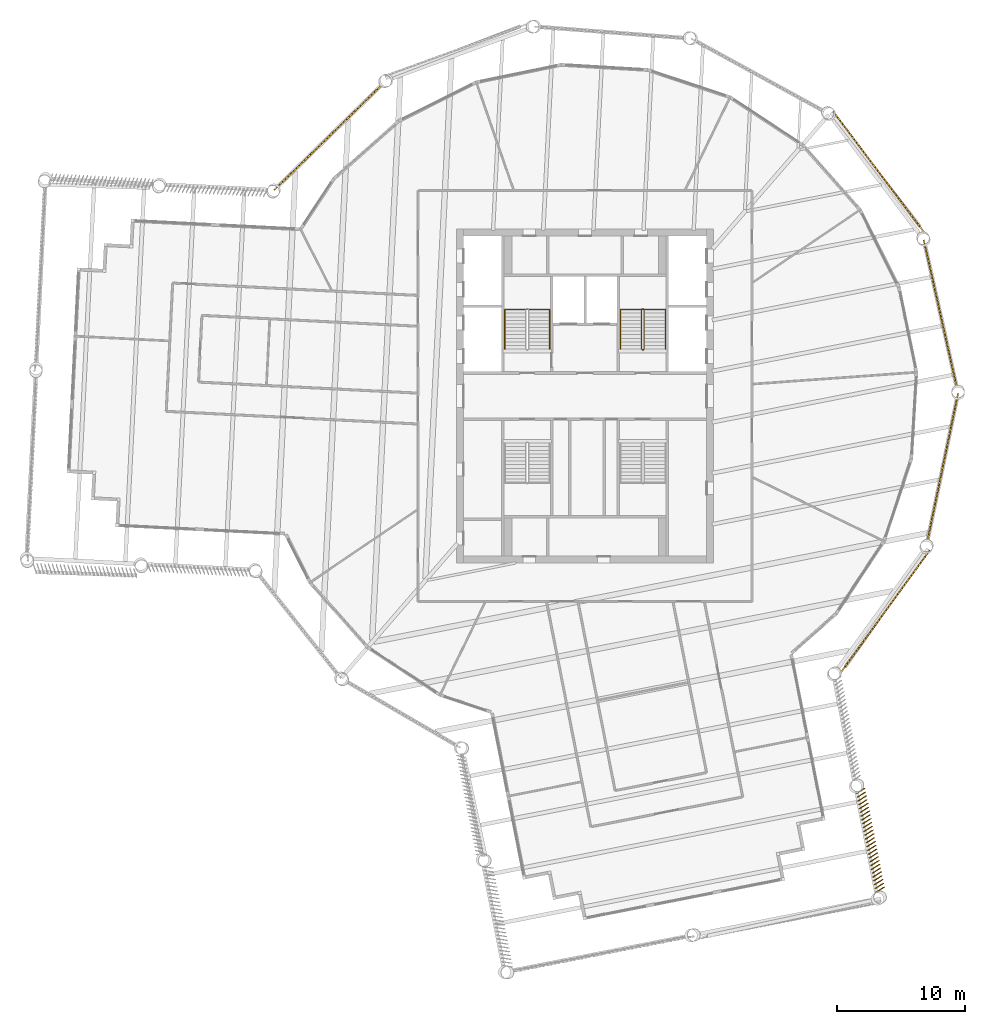
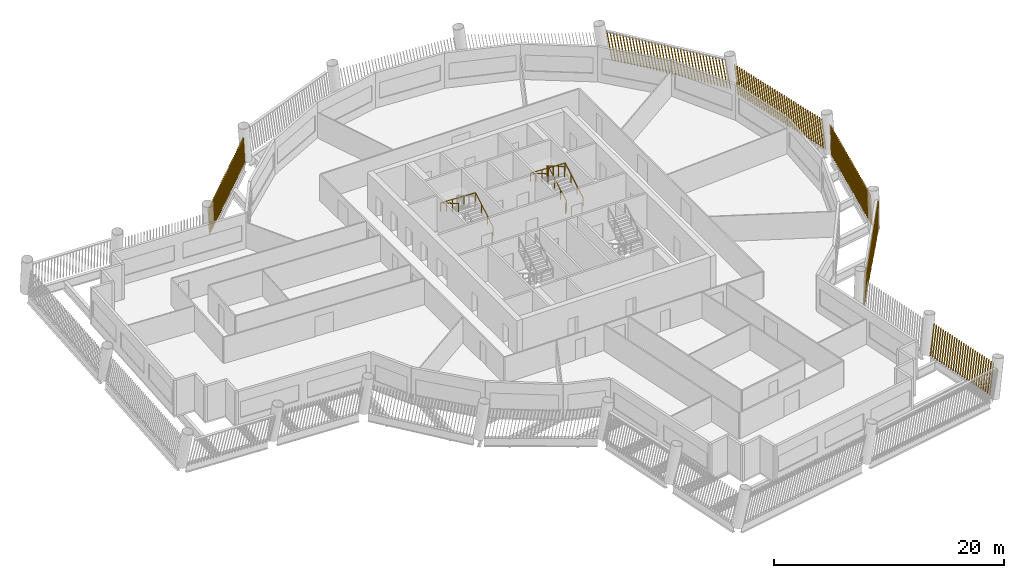
# One storey, part 12 of 14: 6 shading devices, 3 railings.
"""IFC4 building model written with IfcOpenShell, lengths in metres."""

import ifcopenshell
import ifcopenshell.guid

model = None  # the IFC model being written
_history = None  # IfcOwnerHistory: only IFC2X3 demands one
_inside = {}  # id of a spatial element -> (the spatial element, [elements in it])
_under = {}  # id of a project, library or spatial element -> (it, [spatial elements below it])
_declared = {}  # id of a project -> (the project, [libraries it declares])
_typed = {}  # id of a type object -> (the type object, [elements of that type])
_made_of = {}  # id of a material, layer set ... -> (it, [elements and type objects made of it])


def new_model(schema):
    """Start an empty IFC model of exactly this schema.

    Asked for "IFC4X3", IfcOpenShell would pick the latest addendum, in which some entities
    have other attributes; the version numbers below select the first issue.
    IFC2X3 requires an IfcOwnerHistory on every rooted entity: one is made here for all.
    """
    global model, _history
    if schema == "IFC4X3":
        model = ifcopenshell.file(schema_version=(4, 3, 0, 0))
    else:
        model = ifcopenshell.file(schema=schema)
    _inside.clear()
    _under.clear()
    _declared.clear()
    _typed.clear()
    _made_of.clear()
    _history = None
    if model.schema == "IFC2X3":
        org = make("IfcOrganization", Name="unknown")
        user = make(
            "IfcPersonAndOrganization",
            ThePerson=make("IfcPerson", FamilyName="unknown"),
            TheOrganization=org,
        )
        app = make(
            "IfcApplication",
            ApplicationDeveloper=org,
            Version="unknown",
            ApplicationFullName="unknown",
            ApplicationIdentifier="unknown",
        )
        _history = make(
            "IfcOwnerHistory",
            OwningUser=user,
            OwningApplication=app,
            ChangeAction="ADDED",
            CreationDate=0,
        )
    return model


def make(cls, **values):
    """One entity of the class cls with the attributes given. An attribute that is None is left unset."""
    return model.create_entity(
        cls, **{name: value for name, value in values.items() if value is not None}
    )


def rooted(cls, **values):
    """An entity with a GlobalId (a new one), such as an element, a storey or a relation."""
    return make(cls, GlobalId=ifcopenshell.guid.new(), OwnerHistory=_history, **values)


def si_unit(unit_type, name, prefix=None):
    """IfcSIUnit, for example si_unit("LENGTHUNIT", "METRE", prefix="MILLI")."""
    return make("IfcSIUnit", UnitType=unit_type, Prefix=prefix, Name=name)


def assignment(units):
    """IfcUnitAssignment: the units of a project."""
    return None if units is None else make("IfcUnitAssignment", Units=units)


def point(xyz):
    """IfcCartesianPoint."""
    return None if xyz is None else make("IfcCartesianPoint", Coordinates=xyz)


def direction(xyz):
    """IfcDirection."""
    return None if xyz is None else make("IfcDirection", DirectionRatios=xyz)


def frame(location, z_axis=None, x_axis=None):
    """IfcAxis2Placement3D, a coordinate frame: its origin and axes. An axis left out is left unset."""
    return make(
        "IfcAxis2Placement3D",
        Location=point(location),
        Axis=direction(z_axis),
        RefDirection=direction(x_axis),
    )


def frame_2d(location, x_axis=None):
    """IfcAxis2Placement2D, a coordinate frame in the plane: its origin and x axis."""
    return make(
        "IfcAxis2Placement2D", Location=point(location), RefDirection=direction(x_axis)
    )


def origin():
    """The frame at (0, 0, 0) with its axes left unset."""
    return frame((0.0, 0.0, 0.0))


def origin_2d():
    """The frame at (0, 0) in the plane with its x axis left unset."""
    return frame_2d((0.0, 0.0))


def place(relative_to, where):
    """IfcLocalPlacement: puts the frame where relative to a parent placement (None: the world)."""
    return make(
        "IfcLocalPlacement", PlacementRelTo=relative_to, RelativePlacement=where
    )


def context(
    kind, dimensions, precision=None, world=None, true_north=None, identifier=None
):
    """IfcGeometricRepresentationContext, for example the 3D "Model" context."""
    return make(
        "IfcGeometricRepresentationContext",
        ContextIdentifier=identifier,
        ContextType=kind,
        CoordinateSpaceDimension=dimensions,
        Precision=precision,
        WorldCoordinateSystem=world,
        TrueNorth=true_north,
    )


def subcontext(parent, identifier, kind, view, scale=None):
    """IfcGeometricRepresentationSubContext, for example "Body" below "Model"."""
    return make(
        "IfcGeometricRepresentationSubContext",
        ContextIdentifier=identifier,
        ContextType=kind,
        ParentContext=parent,
        TargetScale=scale,
        TargetView=view,
    )


def project(units=None, contexts=None):
    """IfcProject with its units and contexts."""
    return rooted(
        "IfcProject",
        Name="project",
        RepresentationContexts=contexts,
        UnitsInContext=assignment(units),
    )


def spatial(cls, under=None, at=None, **own):
    """A site, building, storey or space (cls), placed at a placement, below another one or the project."""
    s = rooted(cls, ObjectPlacement=at, **own)
    if under is not None:
        _under.setdefault(under.id(), (under, []))[1].append(s)
    return s


def profile(cls, at=None, kind="AREA", **sizes):
    """A parametric profile (cls). Its sizes go by their IFC names, for example OverallWidth=200.0."""
    return make(cls, ProfileType=kind, Position=at, **sizes)


def rectangle(**sizes):
    """IfcRectangleProfileDef."""
    return profile("IfcRectangleProfileDef", **sizes)


def circle(**sizes):
    """IfcCircleProfileDef."""
    return profile("IfcCircleProfileDef", **sizes)


def composite_profile(profiles, kind="AREA"):
    """IfcCompositeProfileDef: several profiles as one."""
    return make("IfcCompositeProfileDef", ProfileType=kind, Profiles=profiles)


def extrude(swept, where, along, depth):
    """IfcExtrudedAreaSolid: the profile swept, set in the frame where, extruded along a direction by depth."""
    return make(
        "IfcExtrudedAreaSolid",
        SweptArea=swept,
        Position=where,
        ExtrudedDirection=direction(along),
        Depth=depth,
    )


def shape(context_of_items, identifier, shape_type, items):
    """IfcShapeRepresentation: the items that make up one representation, for example the "Body"."""
    return make(
        "IfcShapeRepresentation",
        ContextOfItems=context_of_items,
        RepresentationIdentifier=identifier,
        RepresentationType=shape_type,
        Items=items,
    )


def material(Name=None, Category=None):
    """IfcMaterial."""
    return make("IfcMaterial", Name=Name, Category=Category)


def made_of(thing, what):
    """Note that an element or type object is made of a material, layer set ...; save() writes the relation."""
    if what is not None:
        _made_of.setdefault(what.id(), (what, []))[1].append(thing)
    return thing


def type_object(cls, material=None, **own):
    """A type object (cls), such as IfcWallType, which elements share."""
    return made_of(rooted(cls, **own), material)


def element(
    cls,
    number,
    at=None,
    inside=None,
    cuts=None,
    type_object=None,
    material=None,
    context=None,
    identifier="Body",
    shape_type=None,
    held_by="IfcProductDefinitionShape",
    body=None,
    shapes=None,
    **own,
):
    """One element of the class cls, such as IfcWall. Its Tag is "e" and its number.

    at: its placement. inside: the storey or other place that contains it. cuts: it is an
    opening in that element (IfcRelVoidsElement). A single representation is given by context,
    identifier, shape_type and body (its items); several are given by shapes. held_by: the class
    of the entity that holds the representations. save() writes the other relations.
    """
    e = rooted(cls, Tag="e%d" % number, ObjectPlacement=at, **own)
    if body is not None:
        shapes = [shape(context, identifier, shape_type, body)]
    if shapes is not None:
        e.Representation = make(held_by, Representations=shapes)
    if inside is not None:
        _inside.setdefault(inside.id(), (inside, []))[1].append(e)
    if cuts is not None:
        rooted(
            "IfcRelVoidsElement", RelatingBuildingElement=cuts, RelatedOpeningElement=e
        )
    if type_object is not None:
        _typed.setdefault(type_object.id(), (type_object, []))[1].append(e)
    return made_of(e, material)


def aggregate(whole, parts):
    """IfcRelAggregates: a whole, such as a stair, and the parts it consists of."""
    return rooted("IfcRelAggregates", RelatingObject=whole, RelatedObjects=parts)


def save(model, path):
    """Write the relations noted so far, then the file.

    IfcRelAggregates (storeys below a building ...), IfcRelContainedInSpatialStructure (elements
    in a storey), IfcRelDefinesByType, IfcRelAssociatesMaterial and IfcRelDeclares: one each for
    every whole, place, type object, material and project.
    """
    for whole, parts in _under.values():
        aggregate(whole, parts)
    for where, things in _inside.values():
        rooted(
            "IfcRelContainedInSpatialStructure",
            RelatedElements=things,
            RelatingStructure=where,
        )
    for kind, things in _typed.values():
        rooted("IfcRelDefinesByType", RelatedObjects=things, RelatingType=kind)
    for what, things in _made_of.values():
        rooted("IfcRelAssociatesMaterial", RelatedObjects=things, RelatingMaterial=what)
    for by, libraries in _declared.values():
        rooted("IfcRelDeclares", RelatingContext=by, RelatedDefinitions=libraries)
    model.write(path)


model = new_model("IFC4")

# Units and contexts
model_context = context("Model", 3, precision=1e-05, world=origin(), true_north=direction((0.0, 1.0)))
body_context = subcontext(model_context, "Body", "Model", "MODEL_VIEW")
ifc_project = project(units=[si_unit("LENGTHUNIT", "METRE"), si_unit("AREAUNIT", "SQUARE_METRE"), si_unit("VOLUMEUNIT", "CUBIC_METRE"), si_unit("PLANEANGLEUNIT", "RADIAN"), si_unit("MASSUNIT", "GRAM", prefix="KILO")], contexts=[model_context])

# Site, building, storey
site_placement = place(None, origin())
site = spatial("IfcSite", under=ifc_project, at=site_placement, CompositionType="ELEMENT")
building_placement = place(site_placement, origin())
building = spatial("IfcBuilding", under=site, at=building_placement, Name="Tarsis Ring Headquarters", CompositionType="ELEMENT")
storey_placement = place(building_placement, frame((0.0, 0.0, 274.699951171875)))
storey = spatial("IfcBuildingStorey", under=building, at=storey_placement, Name="L64", CompositionType="ELEMENT", Elevation=274.699951171875)

# Railings
ifc_material_1 = material(Name="Steel S355", Category="steel")
railing_type_1 = type_object("IfcRailingType", Name="Core stair guard 1100", PredefinedType="GUARDRAIL", material=ifc_material_1)
railing_1_placement = place(storey_placement, frame((4.4599609375, 3.610107421875, 0.0)))
element("IfcRailing", 1, at=railing_1_placement, inside=storey, type_object=railing_type_1, Name="L64 ST2 stair guard 1", PredefinedType="GUARDRAIL", context=body_context, shape_type="SweptSolid", body=[
    extrude(circle(Radius=0.02392578125, at=origin_2d()), frame((0.0, 0.0, 1.076171875), z_axis=(1.0, 0.0, 0.0), x_axis=(0.0, 1.0, 0.0)), (0.0, 0.0, 1.0), 0.080078125),
    extrude(circle(Radius=0.02392578125, at=origin_2d()), frame((0.080078125, 0.0, 1.076171875), z_axis=(0.282336740067, 0.280959487676, 0.917250092119), x_axis=(-0.705375805398, 0.708833529934, 0.0)), (0.0, 0.0, 1.0), 0.17724609375),
    extrude(circle(Radius=0.02392578125, at=origin_2d()), frame((0.130126953125, 0.0498046875, 1.23876953125), z_axis=(0.0, 0.864920483161, 0.501908913857), x_axis=(-1.0, 0.0, 0.0)), (0.0, 0.0, 1.0), 3.56103515625),
    extrude(circle(Radius=0.02392578125, at=origin_2d()), frame((0.130126953125, 3.1298828125, 3.02587890625), z_axis=(-0.707106781187, 0.707106781187, 0.0), x_axis=(-0.707106781187, -0.707106781187, 0.0)), (0.0, 0.0, 1.0), 0.07080078125),
    extrude(circle(Radius=0.02392578125, at=origin_2d()), frame((0.080078125, 3.179931640625, 3.02587890625), z_axis=(-1.0, 0.0, 0.0), x_axis=(0.0, -1.0, 0.0)), (0.0, 0.0, 1.0), 0.080078125),
    extrude(circle(Radius=0.02392578125, at=origin_2d()), frame((0.0, 3.179931640625, 3.02587890625), z_axis=(-0.282227285176, -0.282227285176, 0.916894497205), x_axis=(0.707106781187, -0.707106781187, 0.0)), (0.0, 0.0, 1.0), 0.17724609375),
    extrude(circle(Radius=0.02392578125, at=origin_2d()), frame((-0.050048828125, 3.1298828125, 3.1884765625), z_axis=(0.0, -0.864890721111, 0.501960198159), x_axis=(1.0, 0.0, 0.0)), (0.0, 0.0, 1.0), 3.561279296875),
    extrude(circle(Radius=0.02099609375, at=origin_2d()), origin(), (0.0, 0.0, 1.0), 1.052001953125),
    extrude(circle(Radius=0.02099609375, at=origin_2d()), frame((0.080078125, 0.0, 0.0)), (0.0, 0.0, 1.0), 1.052001953125),
    extrude(circle(Radius=0.02099609375, at=origin_2d()), frame((0.130126953125, 0.0498046875, 0.16259765625)), (0.0, 0.0, 1.0), 1.052001953125),
    extrude(circle(Radius=0.02099609375, at=origin_2d()), frame((0.130126953125, 1.076416015625, 0.75830078125)), (0.0, 0.0, 1.0), 1.052001953125),
    extrude(circle(Radius=0.02099609375, at=origin_2d()), frame((0.130126953125, 2.103271484375, 1.354248046875)), (0.0, 0.0, 1.0), 1.052001953125),
    extrude(circle(Radius=0.02099609375, at=origin_2d()), frame((0.130126953125, 3.1298828125, 1.949951171875)), (0.0, 0.0, 1.0), 1.052001953125),
    extrude(circle(Radius=0.02099609375, at=origin_2d()), frame((0.080078125, 3.179931640625, 1.949951171875)), (0.0, 0.0, 1.0), 1.052001953125),
    extrude(circle(Radius=0.02099609375, at=origin_2d()), frame((0.0, 3.179931640625, 1.949951171875)), (0.0, 0.0, 1.0), 1.052001953125),
    extrude(circle(Radius=0.02099609375, at=origin_2d()), frame((-0.050048828125, 3.1298828125, 2.112548828125)), (0.0, 0.0, 1.0), 1.052001953125),
    extrude(circle(Radius=0.02099609375, at=origin_2d()), frame((-0.050048828125, 2.103271484375, 2.70849609375)), (0.0, 0.0, 1.0), 1.052001953125),
    extrude(circle(Radius=0.02099609375, at=origin_2d()), frame((-0.050048828125, 1.076416015625, 3.30419921875)), (0.0, 0.0, 1.0), 1.052001953125),
    extrude(circle(Radius=0.02099609375, at=origin_2d()), frame((-0.050048828125, 0.0498046875, 3.900146484375)), (0.0, 0.0, 1.0), 1.052001953125),
])
railing_type_2 = type_object("IfcRailingType", Name="Core stair handrail 900", PredefinedType="HANDRAIL", material=ifc_material_1)
railing_2_placement = place(storey_placement, frame((-2.75, 3.659912109375, 0.16259765625)))
element("IfcRailing", 2, at=railing_2_placement, inside=storey, type_object=railing_type_2, Name="L64 ST1 stair handrail 1", PredefinedType="HANDRAIL", context=body_context, shape_type="SweptSolid", body=[
    extrude(circle(Radius=0.02392578125, at=origin_2d()), frame((0.0, 0.0, 0.8759765625), z_axis=(0.0, 0.864920483161, 0.501908913857), x_axis=(-1.0, 0.0, 0.0)), (0.0, 0.0, 1.0), 3.56103515625),
    extrude(circle(Radius=0.02392578125, at=origin_2d()), frame((0.0, 3.080078125, 2.6630859375), z_axis=(-0.998922641604, 0.0, 0.046406422943), x_axis=(0.0, -1.0, 0.0)), (0.0, 0.0, 1.0), 3.503662109375),
    extrude(circle(Radius=0.02392578125, at=origin_2d()), frame((-3.5, 3.080078125, 2.82568359375), z_axis=(0.0, -0.864890721111, 0.501960198159), x_axis=(1.0, 0.0, 0.0)), (0.0, 0.0, 1.0), 3.561279296875),
    extrude(circle(Radius=0.02099609375, at=origin_2d()), origin(), (0.0, 0.0, 1.0), 0.851806640625),
    extrude(circle(Radius=0.02099609375, at=origin_2d()), frame((0.0, 1.026611328125, 0.595703125)), (0.0, 0.0, 1.0), 0.851806640625),
    extrude(circle(Radius=0.02099609375, at=origin_2d()), frame((0.0, 2.053466796875, 1.191650390625)), (0.0, 0.0, 1.0), 0.851806640625),
    extrude(circle(Radius=0.02099609375, at=origin_2d()), frame((0.0, 3.080078125, 1.787353515625)), (0.0, 0.0, 1.0), 0.851806640625),
    extrude(circle(Radius=0.02099609375, at=origin_2d()), frame((-1.166748046875, 3.080078125, 1.841552734375)), (0.0, 0.0, 1.0), 0.851806640625),
    extrude(circle(Radius=0.02099609375, at=origin_2d()), frame((-2.333251953125, 3.080078125, 1.895751953125)), (0.0, 0.0, 1.0), 0.851806640625),
    extrude(circle(Radius=0.02099609375, at=origin_2d()), frame((-3.5, 3.080078125, 1.949951171875)), (0.0, 0.0, 1.0), 0.851806640625),
    extrude(circle(Radius=0.02099609375, at=origin_2d()), frame((-3.5, 2.053466796875, 2.5458984375)), (0.0, 0.0, 1.0), 0.851806640625),
    extrude(circle(Radius=0.02099609375, at=origin_2d()), frame((-3.5, 1.026611328125, 3.1416015625)), (0.0, 0.0, 1.0), 0.851806640625),
    extrude(circle(Radius=0.02099609375, at=origin_2d()), frame((-3.5, 0.0, 3.737548828125)), (0.0, 0.0, 1.0), 0.851806640625),
])
railing_3_placement = place(storey_placement, frame((6.25, 3.659912109375, 0.16259765625)))
element("IfcRailing", 3, at=railing_3_placement, inside=storey, type_object=railing_type_2, Name="L64 ST2 stair handrail 1", PredefinedType="HANDRAIL", context=body_context, shape_type="SweptSolid", body=[
    extrude(circle(Radius=0.02392578125, at=origin_2d()), frame((0.0, 0.0, 0.8759765625), z_axis=(0.0, 0.864920483161, 0.501908913857), x_axis=(-1.0, 0.0, 0.0)), (0.0, 0.0, 1.0), 3.56103515625),
    extrude(circle(Radius=0.02392578125, at=origin_2d()), frame((0.0, 3.080078125, 2.6630859375), z_axis=(-0.998922641604, 0.0, 0.046406422943), x_axis=(0.0, -1.0, 0.0)), (0.0, 0.0, 1.0), 3.503662109375),
    extrude(circle(Radius=0.02392578125, at=origin_2d()), frame((-3.5, 3.080078125, 2.82568359375), z_axis=(0.0, -0.864890721111, 0.501960198159), x_axis=(1.0, 0.0, 0.0)), (0.0, 0.0, 1.0), 3.561279296875),
    extrude(circle(Radius=0.02099609375, at=origin_2d()), origin(), (0.0, 0.0, 1.0), 0.851806640625),
    extrude(circle(Radius=0.02099609375, at=origin_2d()), frame((0.0, 1.026611328125, 0.595703125)), (0.0, 0.0, 1.0), 0.851806640625),
    extrude(circle(Radius=0.02099609375, at=origin_2d()), frame((0.0, 2.053466796875, 1.191650390625)), (0.0, 0.0, 1.0), 0.851806640625),
    extrude(circle(Radius=0.02099609375, at=origin_2d()), frame((0.0, 3.080078125, 1.787353515625)), (0.0, 0.0, 1.0), 0.851806640625),
    extrude(circle(Radius=0.02099609375, at=origin_2d()), frame((-1.166748046875, 3.080078125, 1.841552734375)), (0.0, 0.0, 1.0), 0.851806640625),
    extrude(circle(Radius=0.02099609375, at=origin_2d()), frame((-2.333251953125, 3.080078125, 1.895751953125)), (0.0, 0.0, 1.0), 0.851806640625),
    extrude(circle(Radius=0.02099609375, at=origin_2d()), frame((-3.5, 3.080078125, 1.949951171875)), (0.0, 0.0, 1.0), 0.851806640625),
    extrude(circle(Radius=0.02099609375, at=origin_2d()), frame((-3.5, 2.053466796875, 2.5458984375)), (0.0, 0.0, 1.0), 0.851806640625),
    extrude(circle(Radius=0.02099609375, at=origin_2d()), frame((-3.5, 1.026611328125, 3.1416015625)), (0.0, 0.0, 1.0), 0.851806640625),
    extrude(circle(Radius=0.02099609375, at=origin_2d()), frame((-3.5, 0.0, 3.737548828125)), (0.0, 0.0, 1.0), 0.851806640625),
])

# Shading devices
ifc_material_2 = material(Name="Terracotta baguette", Category="masonry")
shading_device_type = type_object("IfcShadingDeviceType", Name="Terracotta baguette screen", PredefinedType="USERDEFINED", material=ifc_material_2)
shading_device_1_placement = place(storey_placement, frame((22.680419921875, -38.6513671875, 0.0), z_axis=(0.0, 0.0, 1.0), x_axis=(-0.192875679684, 0.981216015818, 0.0)))
element("IfcShadingDevice", 4, at=shading_device_1_placement, inside=storey, type_object=shading_device_type, Name="Baguette screen L64-05", ObjectType="Terracotta baguette screen", PredefinedType="USERDEFINED", context=body_context, shape_type="SweptSolid", body=[
    extrude(composite_profile([rectangle(XDim=0.06005859375, YDim=0.1201171875, at=frame_2d((0.030029296875, 0.0))), rectangle(XDim=0.06005859375, YDim=0.1201171875, at=frame_2d((0.33154296875, 0.0))), rectangle(XDim=0.06005859375, YDim=0.1201171875, at=frame_2d((0.63330078125, 0.0))), rectangle(XDim=0.06005859375, YDim=0.1201171875, at=frame_2d((0.934814453125, 0.0))), rectangle(XDim=0.06005859375, YDim=0.1201171875, at=frame_2d((1.236572265625, 0.0))), rectangle(XDim=0.06005859375, YDim=0.1201171875, at=frame_2d((1.5380859375, 0.0))), rectangle(XDim=0.06005859375, YDim=0.1201171875, at=frame_2d((1.83984375, 0.0))), rectangle(XDim=0.06005859375, YDim=0.1201171875, at=frame_2d((2.141357421875, 0.0))), rectangle(XDim=0.06005859375, YDim=0.1201171875, at=frame_2d((2.443115234375, 0.0))), rectangle(XDim=0.06005859375, YDim=0.1201171875, at=frame_2d((2.74462890625, 0.0))), rectangle(XDim=0.06005859375, YDim=0.1201171875, at=frame_2d((3.04638671875, 0.0))), rectangle(XDim=0.06005859375, YDim=0.1201171875, at=frame_2d((3.347900390625, 0.0))), rectangle(XDim=0.06005859375, YDim=0.1201171875, at=frame_2d((3.649658203125, 0.0))), rectangle(XDim=0.06005859375, YDim=0.1201171875, at=frame_2d((3.951171875, 0.0))), rectangle(XDim=0.06005859375, YDim=0.1201171875, at=frame_2d((4.252685546875, 0.0))), rectangle(XDim=0.06005859375, YDim=0.1201171875, at=frame_2d((4.554443359375, 0.0))), rectangle(XDim=0.06005859375, YDim=0.1201171875, at=frame_2d((4.85595703125, 0.0))), rectangle(XDim=0.06005859375, YDim=0.1201171875, at=frame_2d((5.15771484375, 0.0))), rectangle(XDim=0.06005859375, YDim=0.1201171875, at=frame_2d((5.459228515625, 0.0))), rectangle(XDim=0.06005859375, YDim=0.1201171875, at=frame_2d((5.760986328125, 0.0))), rectangle(XDim=0.06005859375, YDim=0.1201171875, at=frame_2d((6.0625, 0.0))), rectangle(XDim=0.06005859375, YDim=0.1201171875, at=frame_2d((6.3642578125, 0.0))), rectangle(XDim=0.06005859375, YDim=0.1201171875, at=frame_2d((6.665771484375, 0.0))), rectangle(XDim=0.06005859375, YDim=0.1201171875, at=frame_2d((6.967529296875, 0.0))), rectangle(XDim=0.06005859375, YDim=0.1201171875, at=frame_2d((7.26904296875, 0.0))), rectangle(XDim=0.06005859375, YDim=0.1201171875, at=frame_2d((7.57080078125, 0.0))), rectangle(XDim=0.06005859375, YDim=0.1201171875, at=frame_2d((7.872314453125, 0.0)))]), origin(), (0.086506342806, -0.21846370588, 0.97200322112), 3.05322265625),
])
shading_device_2_placement = place(storey_placement, frame((19.9404296875, -21.488525390625, 0.0), z_axis=(0.0, 0.0, 1.0), x_axis=(0.588887683125, 0.808204015193, 0.0)))
element("IfcShadingDevice", 5, at=shading_device_2_placement, inside=storey, type_object=shading_device_type, Name="Baguette screen L64-07", ObjectType="Terracotta baguette screen", PredefinedType="USERDEFINED", context=body_context, shape_type="SweptSolid", body=[
    extrude(composite_profile([rectangle(XDim=0.06005859375, YDim=0.1201171875, at=frame_2d((0.030029296875, 0.0))), rectangle(XDim=0.06005859375, YDim=0.1201171875, at=frame_2d((0.33251953125, 0.0))), rectangle(XDim=0.06005859375, YDim=0.1201171875, at=frame_2d((0.634765625, 0.0))), rectangle(XDim=0.06005859375, YDim=0.1201171875, at=frame_2d((0.937255859375, 0.0))), rectangle(XDim=0.06005859375, YDim=0.1201171875, at=frame_2d((1.239501953125, 0.0))), rectangle(XDim=0.06005859375, YDim=0.1201171875, at=frame_2d((1.5419921875, 0.0))), rectangle(XDim=0.06005859375, YDim=0.1201171875, at=frame_2d((1.844482421875, 0.0))), rectangle(XDim=0.06005859375, YDim=0.1201171875, at=frame_2d((2.146728515625, 0.0))), rectangle(XDim=0.06005859375, YDim=0.1201171875, at=frame_2d((2.44921875, 0.0))), rectangle(XDim=0.06005859375, YDim=0.1201171875, at=frame_2d((2.751708984375, 0.0))), rectangle(XDim=0.06005859375, YDim=0.1201171875, at=frame_2d((3.053955078125, 0.0))), rectangle(XDim=0.06005859375, YDim=0.1201171875, at=frame_2d((3.3564453125, 0.0))), rectangle(XDim=0.06005859375, YDim=0.1201171875, at=frame_2d((3.65869140625, 0.0))), rectangle(XDim=0.06005859375, YDim=0.1201171875, at=frame_2d((3.961181640625, 0.0))), rectangle(XDim=0.06005859375, YDim=0.1201171875, at=frame_2d((4.263671875, 0.0))), rectangle(XDim=0.06005859375, YDim=0.1201171875, at=frame_2d((4.56591796875, 0.0))), rectangle(XDim=0.06005859375, YDim=0.1201171875, at=frame_2d((4.868408203125, 0.0))), rectangle(XDim=0.06005859375, YDim=0.1201171875, at=frame_2d((5.1708984375, 0.0))), rectangle(XDim=0.06005859375, YDim=0.1201171875, at=frame_2d((5.47314453125, 0.0))), rectangle(XDim=0.06005859375, YDim=0.1201171875, at=frame_2d((5.775634765625, 0.0))), rectangle(XDim=0.06005859375, YDim=0.1201171875, at=frame_2d((6.077880859375, 0.0))), rectangle(XDim=0.06005859375, YDim=0.1201171875, at=frame_2d((6.38037109375, 0.0))), rectangle(XDim=0.06005859375, YDim=0.1201171875, at=frame_2d((6.682861328125, 0.0))), rectangle(XDim=0.06005859375, YDim=0.1201171875, at=frame_2d((6.985107421875, 0.0))), rectangle(XDim=0.06005859375, YDim=0.1201171875, at=frame_2d((7.28759765625, 0.0))), rectangle(XDim=0.06005859375, YDim=0.1201171875, at=frame_2d((7.590087890625, 0.0))), rectangle(XDim=0.06005859375, YDim=0.1201171875, at=frame_2d((7.892333984375, 0.0))), rectangle(XDim=0.06005859375, YDim=0.1201171875, at=frame_2d((8.19482421875, 0.0))), rectangle(XDim=0.06005859375, YDim=0.1201171875, at=frame_2d((8.4970703125, 0.0))), rectangle(XDim=0.06005859375, YDim=0.1201171875, at=frame_2d((8.799560546875, 0.0))), rectangle(XDim=0.06005859375, YDim=0.1201171875, at=frame_2d((9.10205078125, 0.0))), rectangle(XDim=0.06005859375, YDim=0.1201171875, at=frame_2d((9.404296875, 0.0))), rectangle(XDim=0.06005859375, YDim=0.1201171875, at=frame_2d((9.706787109375, 0.0))), rectangle(XDim=0.06005859375, YDim=0.1201171875, at=frame_2d((10.00927734375, 0.0))), rectangle(XDim=0.06005859375, YDim=0.1201171875, at=frame_2d((10.3115234375, 0.0))), rectangle(XDim=0.06005859375, YDim=0.1201171875, at=frame_2d((10.614013671875, 0.0))), rectangle(XDim=0.06005859375, YDim=0.1201171875, at=frame_2d((10.916259765625, 0.0))), rectangle(XDim=0.06005859375, YDim=0.1201171875, at=frame_2d((11.21875, 0.0)))]), origin(), (0.166816982739, 0.001455294033, 0.985986803354), 3.010009765625),
])
shading_device_3_placement = place(storey_placement, frame((26.657958984375, -11.28271484375, 0.0), z_axis=(0.0, 0.0, 1.0), x_axis=(0.203407487792, 0.979099294628, 0.0)))
element("IfcShadingDevice", 6, at=shading_device_3_placement, inside=storey, type_object=shading_device_type, Name="Baguette screen L64-08", ObjectType="Terracotta baguette screen", PredefinedType="USERDEFINED", context=body_context, shape_type="SweptSolid", body=[
    extrude(composite_profile([rectangle(XDim=0.06005859375, YDim=0.1201171875, at=frame_2d((0.030029296875, 0.0))), rectangle(XDim=0.06005859375, YDim=0.1201171875, at=frame_2d((0.33251953125, 0.0))), rectangle(XDim=0.06005859375, YDim=0.1201171875, at=frame_2d((0.634765625, 0.0))), rectangle(XDim=0.06005859375, YDim=0.1201171875, at=frame_2d((0.937255859375, 0.0))), rectangle(XDim=0.06005859375, YDim=0.1201171875, at=frame_2d((1.239501953125, 0.0))), rectangle(XDim=0.06005859375, YDim=0.1201171875, at=frame_2d((1.5419921875, 0.0))), rectangle(XDim=0.06005859375, YDim=0.1201171875, at=frame_2d((1.844482421875, 0.0))), rectangle(XDim=0.06005859375, YDim=0.1201171875, at=frame_2d((2.146728515625, 0.0))), rectangle(XDim=0.06005859375, YDim=0.1201171875, at=frame_2d((2.44921875, 0.0))), rectangle(XDim=0.06005859375, YDim=0.1201171875, at=frame_2d((2.751708984375, 0.0))), rectangle(XDim=0.06005859375, YDim=0.1201171875, at=frame_2d((3.053955078125, 0.0))), rectangle(XDim=0.06005859375, YDim=0.1201171875, at=frame_2d((3.3564453125, 0.0))), rectangle(XDim=0.06005859375, YDim=0.1201171875, at=frame_2d((3.65869140625, 0.0))), rectangle(XDim=0.06005859375, YDim=0.1201171875, at=frame_2d((3.961181640625, 0.0))), rectangle(XDim=0.06005859375, YDim=0.1201171875, at=frame_2d((4.263671875, 0.0))), rectangle(XDim=0.06005859375, YDim=0.1201171875, at=frame_2d((4.56591796875, 0.0))), rectangle(XDim=0.06005859375, YDim=0.1201171875, at=frame_2d((4.868408203125, 0.0))), rectangle(XDim=0.06005859375, YDim=0.1201171875, at=frame_2d((5.1708984375, 0.0))), rectangle(XDim=0.06005859375, YDim=0.1201171875, at=frame_2d((5.47314453125, 0.0))), rectangle(XDim=0.06005859375, YDim=0.1201171875, at=frame_2d((5.775634765625, 0.0))), rectangle(XDim=0.06005859375, YDim=0.1201171875, at=frame_2d((6.077880859375, 0.0))), rectangle(XDim=0.06005859375, YDim=0.1201171875, at=frame_2d((6.38037109375, 0.0))), rectangle(XDim=0.06005859375, YDim=0.1201171875, at=frame_2d((6.682861328125, 0.0))), rectangle(XDim=0.06005859375, YDim=0.1201171875, at=frame_2d((6.985107421875, 0.0))), rectangle(XDim=0.06005859375, YDim=0.1201171875, at=frame_2d((7.28759765625, 0.0))), rectangle(XDim=0.06005859375, YDim=0.1201171875, at=frame_2d((7.590087890625, 0.0))), rectangle(XDim=0.06005859375, YDim=0.1201171875, at=frame_2d((7.892333984375, 0.0))), rectangle(XDim=0.06005859375, YDim=0.1201171875, at=frame_2d((8.19482421875, 0.0))), rectangle(XDim=0.06005859375, YDim=0.1201171875, at=frame_2d((8.4970703125, 0.0))), rectangle(XDim=0.06005859375, YDim=0.1201171875, at=frame_2d((8.799560546875, 0.0))), rectangle(XDim=0.06005859375, YDim=0.1201171875, at=frame_2d((9.10205078125, 0.0))), rectangle(XDim=0.06005859375, YDim=0.1201171875, at=frame_2d((9.404296875, 0.0))), rectangle(XDim=0.06005859375, YDim=0.1201171875, at=frame_2d((9.706787109375, 0.0))), rectangle(XDim=0.06005859375, YDim=0.1201171875, at=frame_2d((10.00927734375, 0.0))), rectangle(XDim=0.06005859375, YDim=0.1201171875, at=frame_2d((10.3115234375, 0.0))), rectangle(XDim=0.06005859375, YDim=0.1201171875, at=frame_2d((10.614013671875, 0.0))), rectangle(XDim=0.06005859375, YDim=0.1201171875, at=frame_2d((10.916259765625, 0.0))), rectangle(XDim=0.06005859375, YDim=0.1201171875, at=frame_2d((11.21875, 0.0)))]), origin(), (0.164704426076, 0.001437380207, 0.986341921429), 3.0087890625),
])
shading_device_4_placement = place(storey_placement, frame((28.9384765625, 0.70849609375, 0.0), z_axis=(0.0, 0.0, 1.0), x_axis=(-0.218248111815, 0.97588766386, 0.0)))
element("IfcShadingDevice", 7, at=shading_device_4_placement, inside=storey, type_object=shading_device_type, Name="Baguette screen L64-09", ObjectType="Terracotta baguette screen", PredefinedType="USERDEFINED", context=body_context, shape_type="SweptSolid", body=[
    extrude(composite_profile([rectangle(XDim=0.06005859375, YDim=0.1201171875, at=frame_2d((0.030029296875, 0.0))), rectangle(XDim=0.06005859375, YDim=0.1201171875, at=frame_2d((0.33251953125, 0.0))), rectangle(XDim=0.06005859375, YDim=0.1201171875, at=frame_2d((0.634765625, 0.0))), rectangle(XDim=0.06005859375, YDim=0.1201171875, at=frame_2d((0.937255859375, 0.0))), rectangle(XDim=0.06005859375, YDim=0.1201171875, at=frame_2d((1.239501953125, 0.0))), rectangle(XDim=0.06005859375, YDim=0.1201171875, at=frame_2d((1.5419921875, 0.0))), rectangle(XDim=0.06005859375, YDim=0.1201171875, at=frame_2d((1.844482421875, 0.0))), rectangle(XDim=0.06005859375, YDim=0.1201171875, at=frame_2d((2.146728515625, 0.0))), rectangle(XDim=0.06005859375, YDim=0.1201171875, at=frame_2d((2.44921875, 0.0))), rectangle(XDim=0.06005859375, YDim=0.1201171875, at=frame_2d((2.751708984375, 0.0))), rectangle(XDim=0.06005859375, YDim=0.1201171875, at=frame_2d((3.053955078125, 0.0))), rectangle(XDim=0.06005859375, YDim=0.1201171875, at=frame_2d((3.3564453125, 0.0))), rectangle(XDim=0.06005859375, YDim=0.1201171875, at=frame_2d((3.65869140625, 0.0))), rectangle(XDim=0.06005859375, YDim=0.1201171875, at=frame_2d((3.961181640625, 0.0))), rectangle(XDim=0.06005859375, YDim=0.1201171875, at=frame_2d((4.263671875, 0.0))), rectangle(XDim=0.06005859375, YDim=0.1201171875, at=frame_2d((4.56591796875, 0.0))), rectangle(XDim=0.06005859375, YDim=0.1201171875, at=frame_2d((4.868408203125, 0.0))), rectangle(XDim=0.06005859375, YDim=0.1201171875, at=frame_2d((5.1708984375, 0.0))), rectangle(XDim=0.06005859375, YDim=0.1201171875, at=frame_2d((5.47314453125, 0.0))), rectangle(XDim=0.06005859375, YDim=0.1201171875, at=frame_2d((5.775634765625, 0.0))), rectangle(XDim=0.06005859375, YDim=0.1201171875, at=frame_2d((6.077880859375, 0.0))), rectangle(XDim=0.06005859375, YDim=0.1201171875, at=frame_2d((6.38037109375, 0.0))), rectangle(XDim=0.06005859375, YDim=0.1201171875, at=frame_2d((6.682861328125, 0.0))), rectangle(XDim=0.06005859375, YDim=0.1201171875, at=frame_2d((6.985107421875, 0.0))), rectangle(XDim=0.06005859375, YDim=0.1201171875, at=frame_2d((7.28759765625, 0.0))), rectangle(XDim=0.06005859375, YDim=0.1201171875, at=frame_2d((7.590087890625, 0.0))), rectangle(XDim=0.06005859375, YDim=0.1201171875, at=frame_2d((7.892333984375, 0.0))), rectangle(XDim=0.06005859375, YDim=0.1201171875, at=frame_2d((8.19482421875, 0.0))), rectangle(XDim=0.06005859375, YDim=0.1201171875, at=frame_2d((8.4970703125, 0.0))), rectangle(XDim=0.06005859375, YDim=0.1201171875, at=frame_2d((8.799560546875, 0.0))), rectangle(XDim=0.06005859375, YDim=0.1201171875, at=frame_2d((9.10205078125, 0.0))), rectangle(XDim=0.06005859375, YDim=0.1201171875, at=frame_2d((9.404296875, 0.0))), rectangle(XDim=0.06005859375, YDim=0.1201171875, at=frame_2d((9.706787109375, 0.0))), rectangle(XDim=0.06005859375, YDim=0.1201171875, at=frame_2d((10.00927734375, 0.0))), rectangle(XDim=0.06005859375, YDim=0.1201171875, at=frame_2d((10.3115234375, 0.0))), rectangle(XDim=0.06005859375, YDim=0.1201171875, at=frame_2d((10.614013671875, 0.0))), rectangle(XDim=0.06005859375, YDim=0.1201171875, at=frame_2d((10.916259765625, 0.0))), rectangle(XDim=0.06005859375, YDim=0.1201171875, at=frame_2d((11.21875, 0.0)))]), origin(), (0.164702470722, 0.001437511197, 0.986342247752), 3.0087890625),
])
shading_device_5_placement = place(storey_placement, frame((26.37353515625, 12.799072265625, 0.0), z_axis=(0.0, 0.0, 1.0), x_axis=(-0.601106890939, 0.799175257732, 0.0)))
element("IfcShadingDevice", 8, at=shading_device_5_placement, inside=storey, type_object=shading_device_type, Name="Baguette screen L64-10", ObjectType="Terracotta baguette screen", PredefinedType="USERDEFINED", context=body_context, shape_type="SweptSolid", body=[
    extrude(composite_profile([rectangle(XDim=0.06005859375, YDim=0.1201171875, at=frame_2d((0.030029296875, 0.0))), rectangle(XDim=0.06005859375, YDim=0.1201171875, at=frame_2d((0.33251953125, 0.0))), rectangle(XDim=0.06005859375, YDim=0.1201171875, at=frame_2d((0.634765625, 0.0))), rectangle(XDim=0.06005859375, YDim=0.1201171875, at=frame_2d((0.937255859375, 0.0))), rectangle(XDim=0.06005859375, YDim=0.1201171875, at=frame_2d((1.239501953125, 0.0))), rectangle(XDim=0.06005859375, YDim=0.1201171875, at=frame_2d((1.5419921875, 0.0))), rectangle(XDim=0.06005859375, YDim=0.1201171875, at=frame_2d((1.844482421875, 0.0))), rectangle(XDim=0.06005859375, YDim=0.1201171875, at=frame_2d((2.146728515625, 0.0))), rectangle(XDim=0.06005859375, YDim=0.1201171875, at=frame_2d((2.44921875, 0.0))), rectangle(XDim=0.06005859375, YDim=0.1201171875, at=frame_2d((2.751708984375, 0.0))), rectangle(XDim=0.06005859375, YDim=0.1201171875, at=frame_2d((3.053955078125, 0.0))), rectangle(XDim=0.06005859375, YDim=0.1201171875, at=frame_2d((3.3564453125, 0.0))), rectangle(XDim=0.06005859375, YDim=0.1201171875, at=frame_2d((3.65869140625, 0.0))), rectangle(XDim=0.06005859375, YDim=0.1201171875, at=frame_2d((3.961181640625, 0.0))), rectangle(XDim=0.06005859375, YDim=0.1201171875, at=frame_2d((4.263671875, 0.0))), rectangle(XDim=0.06005859375, YDim=0.1201171875, at=frame_2d((4.56591796875, 0.0))), rectangle(XDim=0.06005859375, YDim=0.1201171875, at=frame_2d((4.868408203125, 0.0))), rectangle(XDim=0.06005859375, YDim=0.1201171875, at=frame_2d((5.1708984375, 0.0))), rectangle(XDim=0.06005859375, YDim=0.1201171875, at=frame_2d((5.47314453125, 0.0))), rectangle(XDim=0.06005859375, YDim=0.1201171875, at=frame_2d((5.775634765625, 0.0))), rectangle(XDim=0.06005859375, YDim=0.1201171875, at=frame_2d((6.077880859375, 0.0))), rectangle(XDim=0.06005859375, YDim=0.1201171875, at=frame_2d((6.38037109375, 0.0))), rectangle(XDim=0.06005859375, YDim=0.1201171875, at=frame_2d((6.682861328125, 0.0))), rectangle(XDim=0.06005859375, YDim=0.1201171875, at=frame_2d((6.985107421875, 0.0))), rectangle(XDim=0.06005859375, YDim=0.1201171875, at=frame_2d((7.28759765625, 0.0))), rectangle(XDim=0.06005859375, YDim=0.1201171875, at=frame_2d((7.590087890625, 0.0))), rectangle(XDim=0.06005859375, YDim=0.1201171875, at=frame_2d((7.892333984375, 0.0))), rectangle(XDim=0.06005859375, YDim=0.1201171875, at=frame_2d((8.19482421875, 0.0))), rectangle(XDim=0.06005859375, YDim=0.1201171875, at=frame_2d((8.4970703125, 0.0))), rectangle(XDim=0.06005859375, YDim=0.1201171875, at=frame_2d((8.799560546875, 0.0))), rectangle(XDim=0.06005859375, YDim=0.1201171875, at=frame_2d((9.10205078125, 0.0))), rectangle(XDim=0.06005859375, YDim=0.1201171875, at=frame_2d((9.404296875, 0.0))), rectangle(XDim=0.06005859375, YDim=0.1201171875, at=frame_2d((9.706787109375, 0.0))), rectangle(XDim=0.06005859375, YDim=0.1201171875, at=frame_2d((10.00927734375, 0.0))), rectangle(XDim=0.06005859375, YDim=0.1201171875, at=frame_2d((10.3115234375, 0.0))), rectangle(XDim=0.06005859375, YDim=0.1201171875, at=frame_2d((10.614013671875, 0.0))), rectangle(XDim=0.06005859375, YDim=0.1201171875, at=frame_2d((10.916259765625, 0.0))), rectangle(XDim=0.06005859375, YDim=0.1201171875, at=frame_2d((11.21875, 0.0)))]), origin(), (0.166819175638, 0.001455282244, 0.985986432358), 3.010009765625),
])
shading_device_6_placement = place(storey_placement, frame((-15.814453125, 24.24560546875, 0.0), z_axis=(0.0, 0.0, 1.0), x_axis=(-0.715448389617, -0.698650056429, 0.0)))
element("IfcShadingDevice", 9, at=shading_device_6_placement, inside=storey, type_object=shading_device_type, Name="Baguette screen L64-14", ObjectType="Terracotta baguette screen", PredefinedType="USERDEFINED", context=body_context, shape_type="SweptSolid", body=[
    extrude(composite_profile([rectangle(XDim=0.06005859375, YDim=0.1201171875, at=frame_2d((0.030029296875, 0.0))), rectangle(XDim=0.06005859375, YDim=0.1201171875, at=frame_2d((0.33251953125, 0.0))), rectangle(XDim=0.06005859375, YDim=0.1201171875, at=frame_2d((0.634765625, 0.0))), rectangle(XDim=0.06005859375, YDim=0.1201171875, at=frame_2d((0.937255859375, 0.0))), rectangle(XDim=0.06005859375, YDim=0.1201171875, at=frame_2d((1.239501953125, 0.0))), rectangle(XDim=0.06005859375, YDim=0.1201171875, at=frame_2d((1.5419921875, 0.0))), rectangle(XDim=0.06005859375, YDim=0.1201171875, at=frame_2d((1.844482421875, 0.0))), rectangle(XDim=0.06005859375, YDim=0.1201171875, at=frame_2d((2.146728515625, 0.0))), rectangle(XDim=0.06005859375, YDim=0.1201171875, at=frame_2d((2.44921875, 0.0))), rectangle(XDim=0.06005859375, YDim=0.1201171875, at=frame_2d((2.751708984375, 0.0))), rectangle(XDim=0.06005859375, YDim=0.1201171875, at=frame_2d((3.053955078125, 0.0))), rectangle(XDim=0.06005859375, YDim=0.1201171875, at=frame_2d((3.3564453125, 0.0))), rectangle(XDim=0.06005859375, YDim=0.1201171875, at=frame_2d((3.65869140625, 0.0))), rectangle(XDim=0.06005859375, YDim=0.1201171875, at=frame_2d((3.961181640625, 0.0))), rectangle(XDim=0.06005859375, YDim=0.1201171875, at=frame_2d((4.263671875, 0.0))), rectangle(XDim=0.06005859375, YDim=0.1201171875, at=frame_2d((4.56591796875, 0.0))), rectangle(XDim=0.06005859375, YDim=0.1201171875, at=frame_2d((4.868408203125, 0.0))), rectangle(XDim=0.06005859375, YDim=0.1201171875, at=frame_2d((5.1708984375, 0.0))), rectangle(XDim=0.06005859375, YDim=0.1201171875, at=frame_2d((5.47314453125, 0.0))), rectangle(XDim=0.06005859375, YDim=0.1201171875, at=frame_2d((5.775634765625, 0.0))), rectangle(XDim=0.06005859375, YDim=0.1201171875, at=frame_2d((6.077880859375, 0.0))), rectangle(XDim=0.06005859375, YDim=0.1201171875, at=frame_2d((6.38037109375, 0.0))), rectangle(XDim=0.06005859375, YDim=0.1201171875, at=frame_2d((6.682861328125, 0.0))), rectangle(XDim=0.06005859375, YDim=0.1201171875, at=frame_2d((6.985107421875, 0.0))), rectangle(XDim=0.06005859375, YDim=0.1201171875, at=frame_2d((7.28759765625, 0.0))), rectangle(XDim=0.06005859375, YDim=0.1201171875, at=frame_2d((7.590087890625, 0.0))), rectangle(XDim=0.06005859375, YDim=0.1201171875, at=frame_2d((7.892333984375, 0.0))), rectangle(XDim=0.06005859375, YDim=0.1201171875, at=frame_2d((8.19482421875, 0.0))), rectangle(XDim=0.06005859375, YDim=0.1201171875, at=frame_2d((8.4970703125, 0.0))), rectangle(XDim=0.06005859375, YDim=0.1201171875, at=frame_2d((8.799560546875, 0.0))), rectangle(XDim=0.06005859375, YDim=0.1201171875, at=frame_2d((9.10205078125, 0.0))), rectangle(XDim=0.06005859375, YDim=0.1201171875, at=frame_2d((9.404296875, 0.0))), rectangle(XDim=0.06005859375, YDim=0.1201171875, at=frame_2d((9.706787109375, 0.0))), rectangle(XDim=0.06005859375, YDim=0.1201171875, at=frame_2d((10.00927734375, 0.0))), rectangle(XDim=0.06005859375, YDim=0.1201171875, at=frame_2d((10.3115234375, 0.0))), rectangle(XDim=0.06005859375, YDim=0.1201171875, at=frame_2d((10.614013671875, 0.0))), rectangle(XDim=0.06005859375, YDim=0.1201171875, at=frame_2d((10.916259765625, 0.0))), rectangle(XDim=0.06005859375, YDim=0.1201171875, at=frame_2d((11.21875, 0.0)))]), origin(), (0.164701639623, 0.001435242761, 0.986342389834), 3.0087890625),
])

save(model, "model.ifc")
